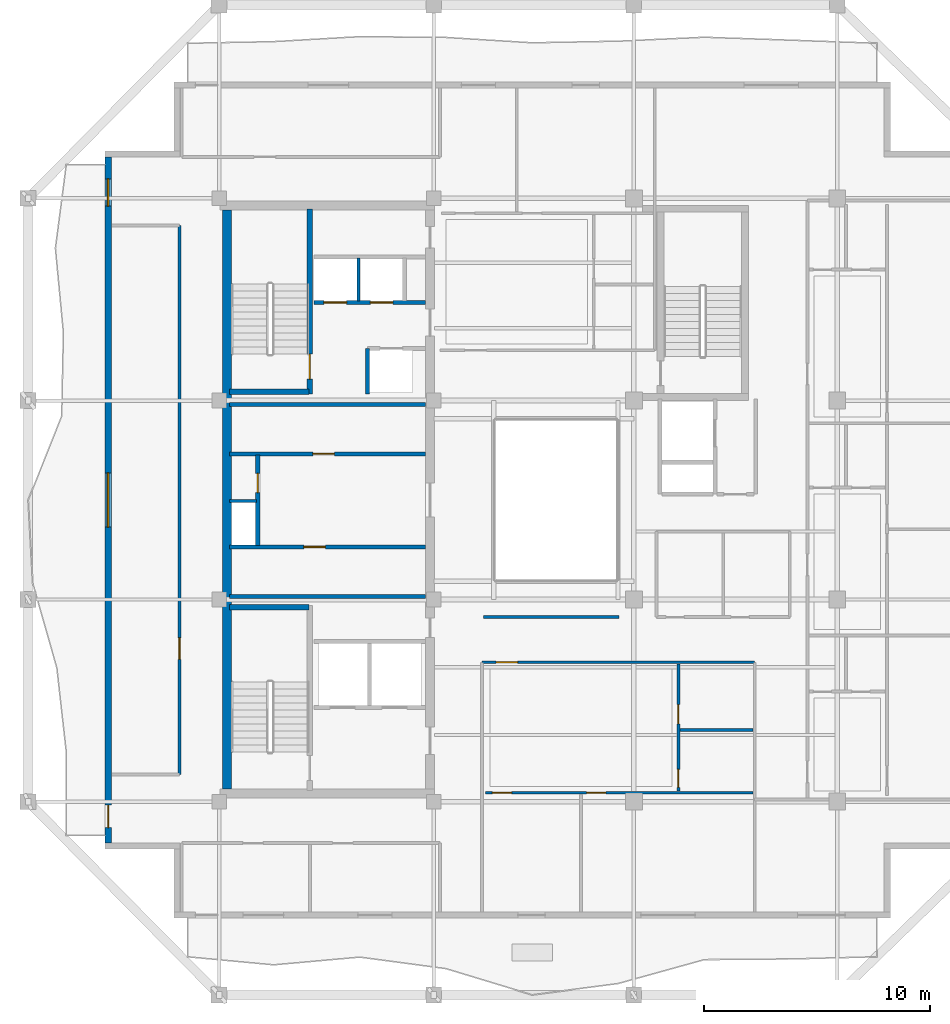
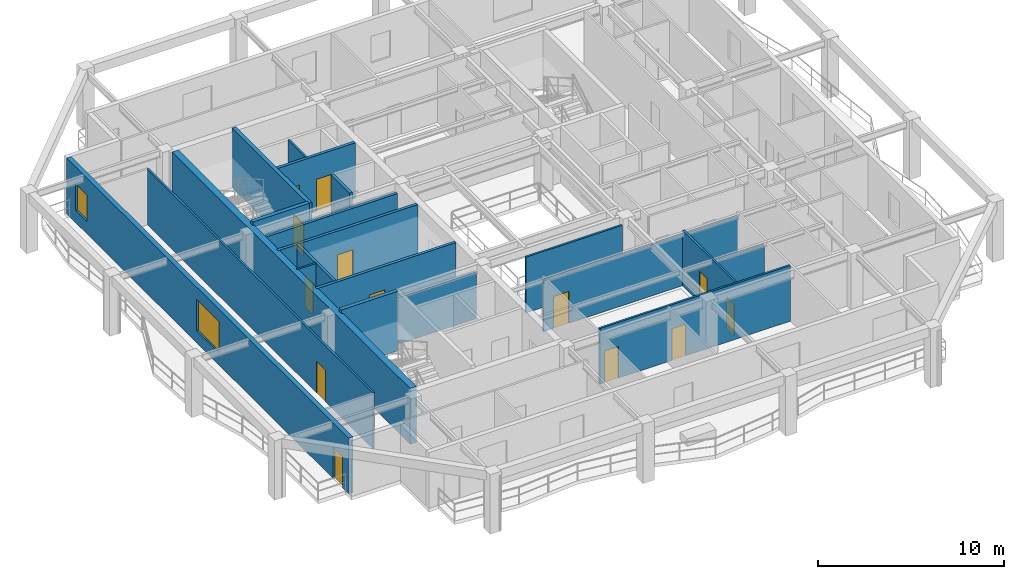
# One storey, part 3 of 10: 20 walls, 13 doors, 2 windows, 15 openings.
"""IFC4 building model written with IfcOpenShell, lengths in metres."""

import ifcopenshell
import ifcopenshell.guid

model = None  # the IFC model being written
_history = None  # IfcOwnerHistory: only IFC2X3 demands one
_inside = {}  # id of a spatial element -> (the spatial element, [elements in it])
_under = {}  # id of a project, library or spatial element -> (it, [spatial elements below it])
_declared = {}  # id of a project -> (the project, [libraries it declares])
_typed = {}  # id of a type object -> (the type object, [elements of that type])
_made_of = {}  # id of a material, layer set ... -> (it, [elements and type objects made of it])


def new_model(schema):
    """Start an empty IFC model of exactly this schema.

    Asked for "IFC4X3", IfcOpenShell would pick the latest addendum, in which some entities
    have other attributes; the version numbers below select the first issue.
    IFC2X3 requires an IfcOwnerHistory on every rooted entity: one is made here for all.
    """
    global model, _history
    if schema == "IFC4X3":
        model = ifcopenshell.file(schema_version=(4, 3, 0, 0))
    else:
        model = ifcopenshell.file(schema=schema)
    _inside.clear()
    _under.clear()
    _declared.clear()
    _typed.clear()
    _made_of.clear()
    _history = None
    if model.schema == "IFC2X3":
        org = make("IfcOrganization", Name="unknown")
        user = make(
            "IfcPersonAndOrganization",
            ThePerson=make("IfcPerson", FamilyName="unknown"),
            TheOrganization=org,
        )
        app = make(
            "IfcApplication",
            ApplicationDeveloper=org,
            Version="unknown",
            ApplicationFullName="unknown",
            ApplicationIdentifier="unknown",
        )
        _history = make(
            "IfcOwnerHistory",
            OwningUser=user,
            OwningApplication=app,
            ChangeAction="ADDED",
            CreationDate=0,
        )
    return model


def make(cls, **values):
    """One entity of the class cls with the attributes given. An attribute that is None is left unset."""
    return model.create_entity(
        cls, **{name: value for name, value in values.items() if value is not None}
    )


def rooted(cls, **values):
    """An entity with a GlobalId (a new one), such as an element, a storey or a relation."""
    return make(cls, GlobalId=ifcopenshell.guid.new(), OwnerHistory=_history, **values)


def si_unit(unit_type, name, prefix=None):
    """IfcSIUnit, for example si_unit("LENGTHUNIT", "METRE", prefix="MILLI")."""
    return make("IfcSIUnit", UnitType=unit_type, Prefix=prefix, Name=name)


def assignment(units):
    """IfcUnitAssignment: the units of a project."""
    return None if units is None else make("IfcUnitAssignment", Units=units)


def point(xyz):
    """IfcCartesianPoint."""
    return None if xyz is None else make("IfcCartesianPoint", Coordinates=xyz)


def direction(xyz):
    """IfcDirection."""
    return None if xyz is None else make("IfcDirection", DirectionRatios=xyz)


def frame(location, z_axis=None, x_axis=None):
    """IfcAxis2Placement3D, a coordinate frame: its origin and axes. An axis left out is left unset."""
    return make(
        "IfcAxis2Placement3D",
        Location=point(location),
        Axis=direction(z_axis),
        RefDirection=direction(x_axis),
    )


def frame_2d(location, x_axis=None):
    """IfcAxis2Placement2D, a coordinate frame in the plane: its origin and x axis."""
    return make(
        "IfcAxis2Placement2D", Location=point(location), RefDirection=direction(x_axis)
    )


def origin():
    """The frame at (0, 0, 0) with its axes left unset."""
    return frame((0.0, 0.0, 0.0))


def place(relative_to, where):
    """IfcLocalPlacement: puts the frame where relative to a parent placement (None: the world)."""
    return make(
        "IfcLocalPlacement", PlacementRelTo=relative_to, RelativePlacement=where
    )


def context(
    kind, dimensions, precision=None, world=None, true_north=None, identifier=None
):
    """IfcGeometricRepresentationContext, for example the 3D "Model" context."""
    return make(
        "IfcGeometricRepresentationContext",
        ContextIdentifier=identifier,
        ContextType=kind,
        CoordinateSpaceDimension=dimensions,
        Precision=precision,
        WorldCoordinateSystem=world,
        TrueNorth=true_north,
    )


def subcontext(parent, identifier, kind, view, scale=None):
    """IfcGeometricRepresentationSubContext, for example "Body" below "Model"."""
    return make(
        "IfcGeometricRepresentationSubContext",
        ContextIdentifier=identifier,
        ContextType=kind,
        ParentContext=parent,
        TargetScale=scale,
        TargetView=view,
    )


def project(units=None, contexts=None):
    """IfcProject with its units and contexts."""
    return rooted(
        "IfcProject",
        Name="project",
        RepresentationContexts=contexts,
        UnitsInContext=assignment(units),
    )


def spatial(cls, under=None, at=None, **own):
    """A site, building, storey or space (cls), placed at a placement, below another one or the project."""
    s = rooted(cls, ObjectPlacement=at, **own)
    if under is not None:
        _under.setdefault(under.id(), (under, []))[1].append(s)
    return s


def profile(cls, at=None, kind="AREA", **sizes):
    """A parametric profile (cls). Its sizes go by their IFC names, for example OverallWidth=200.0."""
    return make(cls, ProfileType=kind, Position=at, **sizes)


def rectangle(**sizes):
    """IfcRectangleProfileDef."""
    return profile("IfcRectangleProfileDef", **sizes)


def extrude(swept, where, along, depth):
    """IfcExtrudedAreaSolid: the profile swept, set in the frame where, extruded along a direction by depth."""
    return make(
        "IfcExtrudedAreaSolid",
        SweptArea=swept,
        Position=where,
        ExtrudedDirection=direction(along),
        Depth=depth,
    )


def shape(context_of_items, identifier, shape_type, items):
    """IfcShapeRepresentation: the items that make up one representation, for example the "Body"."""
    return make(
        "IfcShapeRepresentation",
        ContextOfItems=context_of_items,
        RepresentationIdentifier=identifier,
        RepresentationType=shape_type,
        Items=items,
    )


def material(Name=None, Category=None):
    """IfcMaterial."""
    return make("IfcMaterial", Name=Name, Category=Category)


def layer(
    of_material, thickness, ventilated=None, Name=None, Category=None, Priority=None
):
    """IfcMaterialLayer: one layer of a wall or slab, of a material (None: an air gap)."""
    return make(
        "IfcMaterialLayer",
        Material=of_material,
        LayerThickness=thickness,
        IsVentilated=ventilated,
        Name=Name,
        Category=Category,
        Priority=Priority,
    )


def layer_set(layers, Name=None):
    """IfcMaterialLayerSet."""
    return make("IfcMaterialLayerSet", MaterialLayers=layers, LayerSetName=Name)


def made_of(thing, what):
    """Note that an element or type object is made of a material, layer set ...; save() writes the relation."""
    if what is not None:
        _made_of.setdefault(what.id(), (what, []))[1].append(thing)
    return thing


def type_object(cls, material=None, **own):
    """A type object (cls), such as IfcWallType, which elements share."""
    return made_of(rooted(cls, **own), material)


def element(
    cls,
    number,
    at=None,
    inside=None,
    cuts=None,
    type_object=None,
    material=None,
    context=None,
    identifier="Body",
    shape_type=None,
    held_by="IfcProductDefinitionShape",
    body=None,
    shapes=None,
    **own,
):
    """One element of the class cls, such as IfcWall. Its Tag is "e" and its number.

    at: its placement. inside: the storey or other place that contains it. cuts: it is an
    opening in that element (IfcRelVoidsElement). A single representation is given by context,
    identifier, shape_type and body (its items); several are given by shapes. held_by: the class
    of the entity that holds the representations. save() writes the other relations.
    """
    e = rooted(cls, Tag="e%d" % number, ObjectPlacement=at, **own)
    if body is not None:
        shapes = [shape(context, identifier, shape_type, body)]
    if shapes is not None:
        e.Representation = make(held_by, Representations=shapes)
    if inside is not None:
        _inside.setdefault(inside.id(), (inside, []))[1].append(e)
    if cuts is not None:
        rooted(
            "IfcRelVoidsElement", RelatingBuildingElement=cuts, RelatedOpeningElement=e
        )
    if type_object is not None:
        _typed.setdefault(type_object.id(), (type_object, []))[1].append(e)
    return made_of(e, material)


def fill(opening, filler):
    """IfcRelFillsElement: the door or window that sits in an opening."""
    return rooted(
        "IfcRelFillsElement",
        RelatingOpeningElement=opening,
        RelatedBuildingElement=filler,
    )


def aggregate(whole, parts):
    """IfcRelAggregates: a whole, such as a stair, and the parts it consists of."""
    return rooted("IfcRelAggregates", RelatingObject=whole, RelatedObjects=parts)


def save(model, path):
    """Write the relations noted so far, then the file.

    IfcRelAggregates (storeys below a building ...), IfcRelContainedInSpatialStructure (elements
    in a storey), IfcRelDefinesByType, IfcRelAssociatesMaterial and IfcRelDeclares: one each for
    every whole, place, type object, material and project.
    """
    for whole, parts in _under.values():
        aggregate(whole, parts)
    for where, things in _inside.values():
        rooted(
            "IfcRelContainedInSpatialStructure",
            RelatedElements=things,
            RelatingStructure=where,
        )
    for kind, things in _typed.values():
        rooted("IfcRelDefinesByType", RelatedObjects=things, RelatingType=kind)
    for what, things in _made_of.values():
        rooted("IfcRelAssociatesMaterial", RelatedObjects=things, RelatingMaterial=what)
    for by, libraries in _declared.values():
        rooted("IfcRelDeclares", RelatingContext=by, RelatedDefinitions=libraries)
    model.write(path)


model = new_model("IFC4")

# Units and contexts
model_context = context("Model", 3, precision=1e-05, world=origin(), true_north=direction((0.0, 1.0)))
body_context = subcontext(model_context, "Body", "Model", "MODEL_VIEW")
ifc_project = project(units=[si_unit("LENGTHUNIT", "METRE"), si_unit("AREAUNIT", "SQUARE_METRE"), si_unit("VOLUMEUNIT", "CUBIC_METRE"), si_unit("PLANEANGLEUNIT", "RADIAN"), si_unit("MASSUNIT", "GRAM", prefix="KILO")], contexts=[model_context])

# Site, building, storey
site_placement = place(None, origin())
site = spatial("IfcSite", under=ifc_project, at=site_placement, CompositionType="ELEMENT")
building_placement = place(site_placement, origin())
building = spatial("IfcBuilding", under=site, at=building_placement, Name="Kundavana Baori Tower", CompositionType="ELEMENT")
storey_placement = place(building_placement, frame((0.0, 0.0, 292.10009765625)))
storey = spatial("IfcBuildingStorey", under=building, at=storey_placement, Name="L72", CompositionType="ELEMENT", Elevation=292.10009765625)

# Walls
ifc_material_1 = material(Name="Concrete C50/60", Category="concrete")
ifc_layer_1 = layer(ifc_material_1, 0.39990234375, Name="WL-CORE-400")
ifc_layer_set_1 = layer_set([ifc_layer_1], Name="Concrete C50/60")
wall_type_1 = type_object("IfcWallType", Name="WL-CORE-400", PredefinedType="SHEAR", material=ifc_layer_set_1)
wall_1_placement = place(storey_placement, frame((15.7900390625, 15.81005859375, 0.0), z_axis=(0.0, 0.0, 1.0), x_axis=(0.0, 1.0, 0.0)))
element("IfcWall", 1, at=wall_1_placement, inside=storey, type_object=wall_type_1, Name="L72 Offset Core West Shear Wall", PredefinedType="SHEAR", context=body_context, shape_type="SweptSolid", body=[
    extrude(rectangle(XDim=25.6298828125, YDim=0.39990234375, at=frame_2d((12.81494140625, 0.0))), origin(), (0.0, 0.0, 1.0), 3.659912109375),
])
wall_2_placement = place(storey_placement, frame((15.89990234375, 23.860107421875, 0.0), z_axis=(0.0, 0.0, 1.0), x_axis=(1.0, 0.0, 0.0)))
element("IfcWall", 2, at=wall_2_placement, inside=storey, type_object=wall_type_1, Name="WL-L72-ST1-N", PredefinedType="SHEAR", context=body_context, shape_type="SweptSolid", body=[
    extrude(rectangle(XDim=3.52001953125, YDim=0.239990234375, at=frame_2d((1.760009765625, 0.0))), origin(), (0.0, 0.0, 1.0), 3.89990234375),
])

# Wall, opening, door
wall_3_placement = place(storey_placement, frame((19.4599609375, 33.300048828125, 0.0), z_axis=(0.0, 0.0, 1.0), x_axis=(0.0, 1.0, 0.0)))
wall_3 = element("IfcWall", 3, at=wall_3_placement, inside=storey, type_object=wall_type_1, Name="WL-L72-ST2-E", PredefinedType="SHEAR", context=body_context, shape_type="SweptSolid", body=[
    extrude(rectangle(XDim=8.179931640625, YDim=0.239990234375, at=frame_2d((4.08984375, 0.0))), origin(), (0.0, 0.0, 1.0), 3.89990234375),
])
opening_1_placement = place(wall_3_placement, frame((0.64990234375, 0.0, 0.0)))
opening_1 = element("IfcOpeningElement", 4, at=opening_1_placement, cuts=wall_3, Name="Opening FD-110", PredefinedType="OPENING", context=body_context, shape_type="SweptSolid", body=[
    extrude(rectangle(XDim=1.10009765625, YDim=2.10009765625, at=frame_2d((0.550048828125, 1.050048828125))), frame((0.0, 0.1298828125, 0.0), z_axis=(0.0, -1.0, 0.0), x_axis=(1.0, 0.0, 0.0)), (0.0, 0.0, 1.0), 0.260009765625),
])
ifc_material_2 = material(Name="Galvanised Steel Fire-Rated Door Leaf", Category="steel")
door_type_1 = type_object("IfcDoorType", Name="DR-FD120-1100", OperationType="NOTDEFINED", PredefinedType="DOOR", material=ifc_material_2)
door_1_placement = place(opening_1_placement, origin())
door_1 = element("IfcDoor", 5, at=door_1_placement, inside=storey, type_object=door_type_1, Name="DR-L72-ST2", OperationType="SINGLE_SWING_RIGHT", OverallHeight=2.10009765625, OverallWidth=1.10009765625, PredefinedType="DOOR", context=body_context, shape_type="SweptSolid", body=[
    extrude(rectangle(XDim=1.10009765625, YDim=2.10009765625, at=frame_2d((0.550048828125, 1.050048828125))), frame((0.0, 0.02490234375, 0.0), z_axis=(0.0, -1.0, 0.0), x_axis=(1.0, 0.0, 0.0)), (0.0, 0.0, 1.0), 0.050048828125),
])
fill(opening_1, door_1)

# Wall
wall_4_placement = place(storey_placement, frame((15.89990234375, 33.389892578125, 0.0), z_axis=(0.0, 0.0, 1.0), x_axis=(1.0, 0.0, 0.0)))
element("IfcWall", 6, at=wall_4_placement, inside=storey, type_object=wall_type_1, Name="WL-L72-ST2-S", PredefinedType="SHEAR", context=body_context, shape_type="SweptSolid", body=[
    extrude(rectangle(XDim=3.52001953125, YDim=0.239990234375, at=frame_2d((1.760009765625, 0.0))), origin(), (0.0, 0.0, 1.0), 3.89990234375),
])

# Wall, openings, door, windows
ifc_material_3 = material(Name="Red-Buff Dholpur Sandstone Cladding on Concrete C40/50", Category="masonry")
ifc_layer_2 = layer(ifc_material_3, 0.280029296875, Name="WL-EXT-SAND-280")
ifc_layer_set_2 = layer_set([ifc_layer_2], Name="Red-Buff Dholpur Sandstone Cladding on Concrete C40/50")
wall_type_2 = type_object("IfcWallType", Name="WL-EXT-SAND-280", PredefinedType="STANDARD", material=ifc_layer_set_2)
wall_5_placement = place(storey_placement, frame((10.5400390625, 43.77001953125, 0.0), z_axis=(0.0, 0.0, 1.0), x_axis=(0.0, -1.0, 0.0)))
wall_5 = element("IfcWall", 7, at=wall_5_placement, inside=storey, type_object=wall_type_2, Name="L72 Exterior Insulated Facade Wall 10", PredefinedType="STANDARD", context=body_context, shape_type="SweptSolid", body=[
    extrude(rectangle(XDim=30.340087890625, YDim=0.280029296875, at=frame_2d((15.169921875, 0.0))), origin(), (0.0, 0.0, 1.0), 3.659912109375),
])
opening_2_placement = place(wall_5_placement, frame((28.669921875, 0.0, 0.0)))
opening_2 = element("IfcOpeningElement", 8, at=opening_2_placement, cuts=wall_5, Name="Opening BD-1", PredefinedType="OPENING", context=body_context, shape_type="SweptSolid", body=[
    extrude(rectangle(XDim=1.0, YDim=2.050048828125, at=frame_2d((0.5, 1.02490234375))), frame((0.0, 0.14990234375, 0.0), z_axis=(0.0, -1.0, 0.0), x_axis=(1.0, 0.0, 0.0)), (0.0, 0.0, 1.0), 0.300048828125),
])
opening_3_placement = place(wall_5_placement, frame((13.969970703125, 0.0, 0.800048828125)))
opening_3 = element("IfcOpeningElement", 9, at=opening_3_placement, cuts=wall_5, Name="Opening W-04", PredefinedType="OPENING", context=body_context, shape_type="SweptSolid", body=[
    extrude(rectangle(XDim=2.39990234375, YDim=2.050048828125, at=frame_2d((1.199951171875, 1.02490234375))), frame((0.0, 0.14990234375, 0.0), z_axis=(0.0, -1.0, 0.0), x_axis=(1.0, 0.0, 0.0)), (0.0, 0.0, 1.0), 0.300048828125),
])
opening_4_placement = place(wall_5_placement, frame((0.965087890625, 0.0, 0.800048828125)))
opening_4 = element("IfcOpeningElement", 10, at=opening_4_placement, cuts=wall_5, Name="Opening W-03", PredefinedType="OPENING", context=body_context, shape_type="SweptSolid", body=[
    extrude(rectangle(XDim=1.199951171875, YDim=1.75, at=frame_2d((0.60009765625, 0.875))), frame((0.0, 0.14990234375, 0.0), z_axis=(0.0, -1.0, 0.0), x_axis=(1.0, 0.0, 0.0)), (0.0, 0.0, 1.0), 0.300048828125),
])
ifc_material_4 = material(Name="Architectural Patinated Bronze Metalwork")
door_type_2 = type_object("IfcDoorType", Name="DR-EXT-LOG-1000", OperationType="NOTDEFINED", PredefinedType="DOOR", material=ifc_material_4)
door_2_placement = place(opening_2_placement, frame((1.0, 0.0, 0.0), z_axis=(0.0, 0.0, 1.0), x_axis=(-1.0, 0.0, 0.0)))
door_2 = element("IfcDoor", 11, at=door_2_placement, inside=storey, type_object=door_type_2, Name="L72 Loggia Balcony Access Door W", OperationType="SINGLE_SWING_RIGHT", OverallHeight=2.050048828125, OverallWidth=1.0, PredefinedType="DOOR", context=body_context, shape_type="SweptSolid", body=[
    extrude(rectangle(XDim=1.0, YDim=2.050048828125, at=frame_2d((0.5, 1.02490234375))), frame((0.0, 0.02490234375, 0.0), z_axis=(0.0, -1.0, 0.0), x_axis=(1.0, 0.0, 0.0)), (0.0, 0.0, 1.0), 0.050048828125),
])
fill(opening_2, door_2)
ifc_material_5 = material(Name="Double-Glazed Solar-Control Low-E Insulated Glass", Category="glass")
window_type_1 = type_object("IfcWindowType", Name="WIN-LOG-1200x1750", PartitioningType="SINGLE_PANEL", PredefinedType="WINDOW", material=ifc_material_5)
window_1_placement = place(opening_4_placement, origin())
window_1 = element("IfcWindow", 12, at=window_1_placement, inside=storey, type_object=window_type_1, Name="L72 Recessed Loggia Window W-3", OverallHeight=1.75, OverallWidth=1.199951171875, PartitioningType="SINGLE_PANEL", PredefinedType="WINDOW", context=body_context, shape_type="SweptSolid", body=[
    extrude(rectangle(XDim=1.199951171875, YDim=1.75, at=frame_2d((0.60009765625, 0.875))), frame((0.0, 0.030029296875, 0.0), z_axis=(0.0, -1.0, 0.0), x_axis=(1.0, 0.0, 0.0)), (0.0, 0.0, 1.0), 0.06005859375),
])
fill(opening_4, window_1)
ifc_material_6 = material(Name="Double-Glazed Solar-Control Low-E Insulated Glass", Category="glass")
window_type_2 = type_object("IfcWindowType", Name="WIN-LOG-2400x2050", PartitioningType="SINGLE_PANEL", PredefinedType="WINDOW", material=ifc_material_6)
window_2_placement = place(opening_3_placement, origin())
window_2 = element("IfcWindow", 13, at=window_2_placement, inside=storey, type_object=window_type_2, Name="L72 Recessed Loggia Window W-2", OverallHeight=2.050048828125, OverallWidth=2.39990234375, PartitioningType="SINGLE_PANEL", PredefinedType="WINDOW", context=body_context, shape_type="SweptSolid", body=[
    extrude(rectangle(XDim=2.39990234375, YDim=2.050048828125, at=frame_2d((1.199951171875, 1.02490234375))), frame((0.0, 0.030029296875, 0.0), z_axis=(0.0, -1.0, 0.0), x_axis=(1.0, 0.0, 0.0)), (0.0, 0.0, 1.0), 0.06005859375),
])
fill(opening_3, window_2)

# Walls
ifc_material_7 = material(Name="Acoustic Gypsum Plasterboard on Galvanised Steel Studs", Category="steel")
ifc_layer_3 = layer(ifc_material_7, 0.1201171875, Name="WL-PART-120")
ifc_layer_set_3 = layer_set([ifc_layer_3], Name="Acoustic Gypsum Plasterboard on Galvanised Steel Studs")
wall_type_3 = type_object("IfcWallType", Name="WL-PART-120", PredefinedType="PARTITIONING", material=ifc_layer_set_3)
wall_6_placement = place(storey_placement, frame((15.89990234375, 28.56005859375, 0.0), z_axis=(0.0, 0.0, 1.0), x_axis=(1.0, 0.0, 0.0)))
element("IfcWall", 14, at=wall_6_placement, inside=storey, type_object=wall_type_3, Name="WL-L72-RSRW-N", PredefinedType="PARTITIONING", context=body_context, shape_type="SweptSolid", body=[
    extrude(rectangle(XDim=1.2001953125, YDim=0.1201171875, at=frame_2d((0.60009765625, 0.0))), origin(), (0.0, 0.0, 1.0), 3.659912109375),
])
wall_7_placement = place(storey_placement, frame((21.6201171875, 37.39990234375, 0.0), z_axis=(0.0, 0.0, 1.0), x_axis=(0.0, 1.0, 0.0)))
element("IfcWall", 15, at=wall_7_placement, inside=storey, type_object=wall_type_3, Name="WL-L72-HR-DIV1", PredefinedType="PARTITIONING", context=body_context, shape_type="SweptSolid", body=[
    extrude(rectangle(XDim=1.900146484375, YDim=0.1201171875, at=frame_2d((0.9501953125, 0.0))), origin(), (0.0, 0.0, 1.0), 3.659912109375),
])

# Wall, opening, door
wall_8_placement = place(storey_placement, frame((27.080078125, 21.419921875, 0.0), z_axis=(0.0, 0.0, 1.0), x_axis=(1.0, 0.0, 0.0)))
wall_8 = element("IfcWall", 16, at=wall_8_placement, inside=storey, type_object=wall_type_3, Name="WL-L72-RS", PredefinedType="PARTITIONING", context=body_context, shape_type="SweptSolid", body=[
    extrude(rectangle(XDim=12.06982421875, YDim=0.1201171875, at=frame_2d((6.034912109375, 0.0))), origin(), (0.0, 0.0, 1.0), 3.35986328125),
])
opening_5_placement = place(wall_8_placement, frame((0.6298828125, 0.0, 0.0)))
opening_5 = element("IfcOpeningElement", 17, at=opening_5_placement, cuts=wall_8, Name="Opening FD-095", PredefinedType="OPENING", context=body_context, shape_type="SweptSolid", body=[
    extrude(rectangle(XDim=0.949951171875, YDim=2.10009765625, at=frame_2d((0.47509765625, 1.050048828125))), frame((0.0, 0.070068359375, 0.0), z_axis=(0.0, -1.0, 0.0), x_axis=(1.0, 0.0, 0.0)), (0.0, 0.0, 1.0), 0.14013671875),
])
ifc_material_8 = material(Name="Engineered Teak Fire-Rated Timber Door Leaf", Category="wood")
door_type_3 = type_object("IfcDoorType", Name="DR-FD60-950", OperationType="NOTDEFINED", PredefinedType="DOOR", material=ifc_material_8)
door_3_placement = place(opening_5_placement, frame((0.949951171875, 0.0, 0.0), z_axis=(0.0, 0.0, 1.0), x_axis=(-1.0, 0.0, 0.0)))
door_3 = element("IfcDoor", 18, at=door_3_placement, inside=storey, type_object=door_type_3, Name="DR-L72-S1-ENT", OperationType="SINGLE_SWING_RIGHT", OverallHeight=2.10009765625, OverallWidth=0.949951171875, PredefinedType="DOOR", context=body_context, shape_type="SweptSolid", body=[
    extrude(rectangle(XDim=0.949951171875, YDim=2.10009765625, at=frame_2d((0.47509765625, 1.050048828125))), frame((0.0, 0.02490234375, 0.0), z_axis=(0.0, -1.0, 0.0), x_axis=(1.0, 0.0, 0.0)), (0.0, 0.0, 1.0), 0.050048828125),
])
fill(opening_5, door_3)

# Wall
wall_9_placement = place(storey_placement, frame((27.14990234375, 23.419921875, 0.0), z_axis=(0.0, 0.0, 1.0), x_axis=(1.0, 0.0, 0.0)))
element("IfcWall", 19, at=wall_9_placement, inside=storey, type_object=wall_type_3, Name="WL-L72-RST", PredefinedType="PARTITIONING", context=body_context, shape_type="SweptSolid", body=[
    extrude(rectangle(XDim=6.0, YDim=0.1201171875, at=frame_2d((3.0, 0.0))), origin(), (0.0, 0.0, 1.0), 3.659912109375),
])

# Wall, opening, door
wall_10_placement = place(storey_placement, frame((13.699951171875, 16.449951171875, 0.0), z_axis=(0.0, 0.0, 1.0), x_axis=(0.0, 1.0, 0.0)))
wall_10 = element("IfcWall", 20, at=wall_10_placement, inside=storey, type_object=wall_type_3, Name="WL-L72-RW", PredefinedType="PARTITIONING", context=body_context, shape_type="SweptSolid", body=[
    extrude(rectangle(XDim=24.300048828125, YDim=0.1201171875, at=frame_2d((12.14990234375, 0.0))), origin(), (0.0, 0.0, 1.0), 3.659912109375),
])
opening_6_placement = place(wall_10_placement, frame((5.10009765625, 0.0, 0.0)))
opening_6 = element("IfcOpeningElement", 21, at=opening_6_placement, cuts=wall_10, Name="Opening ID-095", PredefinedType="OPENING", context=body_context, shape_type="SweptSolid", body=[
    extrude(rectangle(XDim=0.949951171875, YDim=2.080078125, at=frame_2d((0.47509765625, 1.0400390625))), frame((0.0, 0.070068359375, 0.0), z_axis=(0.0, -1.0, 0.0), x_axis=(1.0, 0.0, 0.0)), (0.0, 0.0, 1.0), 0.14013671875),
])
ifc_material_9 = material(Name="Engineered Teak Solid-Core Timber Veneer", Category="wood")
door_type_4 = type_object("IfcDoorType", Name="DR-INT-950", OperationType="NOTDEFINED", PredefinedType="DOOR", material=ifc_material_9)
door_4_placement = place(opening_6_placement, origin())
door_4 = element("IfcDoor", 22, at=door_4_placement, inside=storey, type_object=door_type_4, Name="DR-L72-RLNGW", OperationType="SINGLE_SWING_LEFT", OverallHeight=2.080078125, OverallWidth=0.949951171875, PredefinedType="DOOR", context=body_context, shape_type="SweptSolid", body=[
    extrude(rectangle(XDim=0.949951171875, YDim=2.080078125, at=frame_2d((0.47509765625, 1.0400390625))), frame((0.0, 0.02490234375, 0.0), z_axis=(0.0, -1.0, 0.0), x_axis=(1.0, 0.0, 0.0)), (0.0, 0.0, 1.0), 0.050048828125),
])
fill(opening_6, door_4)

# Wall, openings, doors
wall_11_placement = place(storey_placement, frame((27.239990234375, 15.64111328125, 0.0), z_axis=(0.0, 0.0, 1.0), x_axis=(1.0, 0.0, 0.0)))
wall_11 = element("IfcWall", 23, at=wall_11_placement, inside=storey, type_object=wall_type_3, Name="WL-L72-S1-HZ", PredefinedType="PARTITIONING", context=body_context, shape_type="SweptSolid", body=[
    extrude(rectangle(XDim=11.830078125, YDim=0.1201171875, at=frame_2d((5.9150390625, 0.0))), origin(), (0.0, 0.0, 1.0), 3.659912109375),
])
opening_7_placement = place(wall_11_placement, frame((0.300048828125, 0.0, 0.0)))
opening_7 = element("IfcOpeningElement", 24, at=opening_7_placement, cuts=wall_11, Name="Opening ID-085", PredefinedType="OPENING", context=body_context, shape_type="SweptSolid", body=[
    extrude(rectangle(XDim=0.85009765625, YDim=2.080078125, at=frame_2d((0.425048828125, 1.0400390625))), frame((0.0, 0.070068359375, 0.0), z_axis=(0.0, -1.0, 0.0), x_axis=(1.0, 0.0, 0.0)), (0.0, 0.0, 1.0), 0.14013671875),
])
opening_8_placement = place(wall_11_placement, frame((4.47509765625, 0.0, 0.0)))
opening_8 = element("IfcOpeningElement", 25, at=opening_8_placement, cuts=wall_11, Name="Opening ID-085", PredefinedType="OPENING", context=body_context, shape_type="SweptSolid", body=[
    extrude(rectangle(XDim=0.85009765625, YDim=2.080078125, at=frame_2d((0.425048828125, 1.0400390625))), frame((0.0, 0.070068359375, 0.0), z_axis=(0.0, -1.0, 0.0), x_axis=(1.0, 0.0, 0.0)), (0.0, 0.0, 1.0), 0.14013671875),
])
ifc_material_10 = material(Name="Engineered Teak Solid-Core Timber Veneer", Category="wood")
door_type_5 = type_object("IfcDoorType", Name="DR-INT-850", OperationType="NOTDEFINED", PredefinedType="DOOR", material=ifc_material_10)
door_5_placement = place(opening_7_placement, frame((0.85009765625, 0.0, 0.0), z_axis=(0.0, 0.0, 1.0), x_axis=(-1.0, 0.0, 0.0)))
door_5 = element("IfcDoor", 26, at=door_5_placement, inside=storey, type_object=door_type_5, Name="DR-L72-S1-B1", OperationType="SINGLE_SWING_LEFT", OverallHeight=2.080078125, OverallWidth=0.85009765625, PredefinedType="DOOR", context=body_context, shape_type="SweptSolid", body=[
    extrude(rectangle(XDim=0.85009765625, YDim=2.080078125, at=frame_2d((0.425048828125, 1.0400390625))), frame((0.0, 0.02490234375, 0.0), z_axis=(0.0, -1.0, 0.0), x_axis=(1.0, 0.0, 0.0)), (0.0, 0.0, 1.0), 0.050048828125),
])
fill(opening_7, door_5)
door_6_placement = place(opening_8_placement, frame((0.85009765625, 0.0, 0.0), z_axis=(0.0, 0.0, 1.0), x_axis=(-1.0, 0.0, 0.0)))
door_6 = element("IfcDoor", 27, at=door_6_placement, inside=storey, type_object=door_type_5, Name="DR-L72-S1-B2", OperationType="SINGLE_SWING_RIGHT", OverallHeight=2.080078125, OverallWidth=0.85009765625, PredefinedType="DOOR", context=body_context, shape_type="SweptSolid", body=[
    extrude(rectangle(XDim=0.85009765625, YDim=2.080078125, at=frame_2d((0.425048828125, 1.0400390625))), frame((0.0, 0.02490234375, 0.0), z_axis=(0.0, -1.0, 0.0), x_axis=(1.0, 0.0, 0.0)), (0.0, 0.0, 1.0), 0.050048828125),
])
fill(opening_8, door_6)

# Wall, opening, door
ifc_material_11 = material(Name="Autoclaved Aerated Concrete Blockwork Masonry", Category="masonry")
ifc_layer_4 = layer(ifc_material_11, 0.179931640625, Name="WL-SHAFT-180")
ifc_layer_set_4 = layer_set([ifc_layer_4], Name="Autoclaved Aerated Concrete Blockwork Masonry")
wall_type_4 = type_object("IfcWallType", Name="WL-SHAFT-180", PredefinedType="SOLIDWALL", material=ifc_layer_set_4)
wall_12_placement = place(storey_placement, frame((15.89990234375, 26.52001953125, 0.0), z_axis=(0.0, 0.0, 1.0), x_axis=(1.0, 0.0, 0.0)))
wall_12 = element("IfcWall", 28, at=wall_12_placement, inside=storey, type_object=wall_type_4, Name="WL-L72-LPLOW-N", PredefinedType="SOLIDWALL", context=body_context, shape_type="SweptSolid", body=[
    extrude(rectangle(XDim=8.68017578125, YDim=0.179931640625, at=frame_2d((4.340087890625, 0.0))), origin(), (0.0, 0.0, 1.0), 3.659912109375),
])
opening_9_placement = place(wall_12_placement, frame((3.300048828125, 0.0, 0.0)))
opening_9 = element("IfcOpeningElement", 29, at=opening_9_placement, cuts=wall_12, Name="Opening FD-095", PredefinedType="OPENING", context=body_context, shape_type="SweptSolid", body=[
    extrude(rectangle(XDim=0.949951171875, YDim=2.10009765625, at=frame_2d((0.47509765625, 1.050048828125))), frame((0.0, 0.10009765625, 0.0), z_axis=(0.0, -1.0, 0.0), x_axis=(1.0, 0.0, 0.0)), (0.0, 0.0, 1.0), 0.199951171875),
])
door_7_placement = place(opening_9_placement, origin())
door_7 = element("IfcDoor", 30, at=door_7_placement, inside=storey, type_object=door_type_3, Name="DR-L72-FRLOW1", OperationType="SINGLE_SWING_LEFT", OverallHeight=2.10009765625, OverallWidth=0.949951171875, PredefinedType="DOOR", context=body_context, shape_type="SweptSolid", body=[
    extrude(rectangle(XDim=0.949951171875, YDim=2.10009765625, at=frame_2d((0.47509765625, 1.050048828125))), frame((0.0, 0.02490234375, 0.0), z_axis=(0.0, -1.0, 0.0), x_axis=(1.0, 0.0, 0.0)), (0.0, 0.0, 1.0), 0.050048828125),
])
fill(opening_9, door_7)

# Wall
wall_13_placement = place(storey_placement, frame((15.89990234375, 24.330078125, 0.0), z_axis=(0.0, 0.0, 1.0), x_axis=(1.0, 0.0, 0.0)))
element("IfcWall", 31, at=wall_13_placement, inside=storey, type_object=wall_type_4, Name="WL-L72-LPLOW-S", PredefinedType="SOLIDWALL", context=body_context, shape_type="SweptSolid", body=[
    extrude(rectangle(XDim=8.68017578125, YDim=0.179931640625, at=frame_2d((4.340087890625, 0.0))), origin(), (0.0, 0.0, 1.0), 3.059814453125),
])

# Wall, opening, door
wall_14_placement = place(storey_placement, frame((17.159912109375, 26.580078125, 0.0), z_axis=(0.0, 0.0, 1.0), x_axis=(0.0, 1.0, 0.0)))
wall_14 = element("IfcWall", 32, at=wall_14_placement, inside=storey, type_object=wall_type_4, Name="WL-L72-RSRW-E", PredefinedType="SOLIDWALL", context=body_context, shape_type="SweptSolid", body=[
    extrude(rectangle(XDim=4.02001953125, YDim=0.179931640625, at=frame_2d((2.010009765625, 0.0))), origin(), (0.0, 0.0, 1.0), 3.659912109375),
])
opening_10_placement = place(wall_14_placement, frame((2.35009765625, 0.0, 0.0)))
opening_10 = element("IfcOpeningElement", 33, at=opening_10_placement, cuts=wall_14, Name="Opening FD-085", PredefinedType="OPENING", context=body_context, shape_type="SweptSolid", body=[
    extrude(rectangle(XDim=0.85009765625, YDim=2.06005859375, at=frame_2d((0.425048828125, 1.030029296875))), frame((0.0, 0.10009765625, 0.0), z_axis=(0.0, -1.0, 0.0), x_axis=(1.0, 0.0, 0.0)), (0.0, 0.0, 1.0), 0.199951171875),
])
ifc_material_12 = material(Name="Galvanised Steel Fire-Rated Door Leaf", Category="steel")
door_type_6 = type_object("IfcDoorType", Name="DR-FD60-850", OperationType="NOTDEFINED", PredefinedType="DOOR", material=ifc_material_12)
door_8_placement = place(opening_10_placement, origin())
door_8 = element("IfcDoor", 34, at=door_8_placement, inside=storey, type_object=door_type_6, Name="DR-L72-CLN", OperationType="SINGLE_SWING_RIGHT", OverallHeight=2.06005859375, OverallWidth=0.85009765625, PredefinedType="DOOR", context=body_context, shape_type="SweptSolid", body=[
    extrude(rectangle(XDim=0.85009765625, YDim=2.06005859375, at=frame_2d((0.425048828125, 1.030029296875))), frame((0.0, 0.02490234375, 0.0), z_axis=(0.0, -1.0, 0.0), x_axis=(1.0, 0.0, 0.0)), (0.0, 0.0, 1.0), 0.050048828125),
])
fill(opening_10, door_8)

wall_15_placement = place(storey_placement, frame((15.89990234375, 30.639892578125, 0.0), z_axis=(0.0, 0.0, 1.0), x_axis=(1.0, 0.0, 0.0)))
wall_15 = element("IfcWall", 35, at=wall_15_placement, inside=storey, type_object=wall_type_4, Name="WL-L72-LPMID-S", PredefinedType="SOLIDWALL", context=body_context, shape_type="SweptSolid", body=[
    extrude(rectangle(XDim=8.68017578125, YDim=0.179931640625, at=frame_2d((4.340087890625, 0.0))), origin(), (0.0, 0.0, 1.0), 3.659912109375),
])
opening_11_placement = place(wall_15_placement, frame((3.699951171875, 0.0, 0.0)))
opening_11 = element("IfcOpeningElement", 36, at=opening_11_placement, cuts=wall_15, Name="Opening FD-095", PredefinedType="OPENING", context=body_context, shape_type="SweptSolid", body=[
    extrude(rectangle(XDim=0.949951171875, YDim=2.10009765625, at=frame_2d((0.47509765625, 1.050048828125))), frame((0.0, 0.10009765625, 0.0), z_axis=(0.0, -1.0, 0.0), x_axis=(1.0, 0.0, 0.0)), (0.0, 0.0, 1.0), 0.199951171875),
])
door_9_placement = place(opening_11_placement, frame((0.949951171875, 0.0, 0.0), z_axis=(0.0, 0.0, 1.0), x_axis=(-1.0, 0.0, 0.0)))
door_9 = element("IfcDoor", 37, at=door_9_placement, inside=storey, type_object=door_type_3, Name="DR-L72-FRMID1", OperationType="SINGLE_SWING_RIGHT", OverallHeight=2.10009765625, OverallWidth=0.949951171875, PredefinedType="DOOR", context=body_context, shape_type="SweptSolid", body=[
    extrude(rectangle(XDim=0.949951171875, YDim=2.10009765625, at=frame_2d((0.47509765625, 1.050048828125))), frame((0.0, 0.02490234375, 0.0), z_axis=(0.0, -1.0, 0.0), x_axis=(1.0, 0.0, 0.0)), (0.0, 0.0, 1.0), 0.050048828125),
])
fill(opening_11, door_9)

# Walls
wall_16_placement = place(storey_placement, frame((15.89990234375, 32.820068359375, 0.0), z_axis=(0.0, 0.0, 1.0), x_axis=(1.0, 0.0, 0.0)))
element("IfcWall", 38, at=wall_16_placement, inside=storey, type_object=wall_type_4, Name="WL-L72-LPMID-N", PredefinedType="SOLIDWALL", context=body_context, shape_type="SweptSolid", body=[
    extrude(rectangle(XDim=8.68017578125, YDim=0.179931640625, at=frame_2d((4.340087890625, 0.0))), origin(), (0.0, 0.0, 1.0), 3.059814453125),
])
wall_17_placement = place(storey_placement, frame((22.02001953125, 33.300048828125, 0.0), z_axis=(0.0, 0.0, 1.0), x_axis=(0.0, 1.0, 0.0)))
element("IfcWall", 39, at=wall_17_placement, inside=storey, type_object=wall_type_4, Name="WL-L72-LP11-W", PredefinedType="SOLIDWALL", context=body_context, shape_type="SweptSolid", body=[
    extrude(rectangle(XDim=2.010009765625, YDim=0.179931640625, at=frame_2d((1.0048828125, 0.0))), origin(), (0.0, 0.0, 1.0), 3.659912109375),
])

# Wall, openings, doors
wall_18_placement = place(storey_placement, frame((19.639892578125, 37.340087890625, 0.0), z_axis=(0.0, 0.0, 1.0), x_axis=(1.0, 0.0, 0.0)))
wall_18 = element("IfcWall", 40, at=wall_18_placement, inside=storey, type_object=wall_type_4, Name="WL-L72-HRLOB-N", PredefinedType="SOLIDWALL", context=body_context, shape_type="SweptSolid", body=[
    extrude(rectangle(XDim=4.940185546875, YDim=0.179931640625, at=frame_2d((2.47021484375, 0.0))), origin(), (0.0, 0.0, 1.0), 3.659912109375),
])
opening_12_placement = place(wall_18_placement, frame((0.449951171875, 0.0, 0.0)))
opening_12 = element("IfcOpeningElement", 41, at=opening_12_placement, cuts=wall_18, Name="Opening LD-100", PredefinedType="OPENING", context=body_context, shape_type="SweptSolid", body=[
    extrude(rectangle(XDim=1.0, YDim=2.10009765625, at=frame_2d((0.5, 1.050048828125))), frame((0.0, 0.10009765625, 0.0), z_axis=(0.0, -1.0, 0.0), x_axis=(1.0, 0.0, 0.0)), (0.0, 0.0, 1.0), 0.199951171875),
])
opening_13_placement = place(wall_18_placement, frame((2.5, 0.0, 0.0)))
opening_13 = element("IfcOpeningElement", 42, at=opening_13_placement, cuts=wall_18, Name="Opening LD-100", PredefinedType="OPENING", context=body_context, shape_type="SweptSolid", body=[
    extrude(rectangle(XDim=1.0, YDim=2.10009765625, at=frame_2d((0.5, 1.050048828125))), frame((0.0, 0.10009765625, 0.0), z_axis=(0.0, -1.0, 0.0), x_axis=(1.0, 0.0, 0.0)), (0.0, 0.0, 1.0), 0.199951171875),
])
ifc_material_13 = material(Name="Galvanised Steel Fire-Rated Door Leaf", Category="steel")
door_type_7 = type_object("IfcDoorType", Name="DR-SLIDE-LD1000", OperationType="NOTDEFINED", PredefinedType="DOOR", material=ifc_material_13)
door_10_placement = place(opening_12_placement, frame((1.0, 0.0, 0.0), z_axis=(0.0, 0.0, 1.0), x_axis=(-1.0, 0.0, 0.0)))
door_10 = element("IfcDoor", 43, at=door_10_placement, inside=storey, type_object=door_type_7, Name="DR-L72-LD-LP09", OperationType="DOUBLE_DOOR_SLIDING", OverallHeight=2.10009765625, OverallWidth=1.0, PredefinedType="DOOR", context=body_context, shape_type="SweptSolid", body=[
    extrude(rectangle(XDim=1.0, YDim=2.10009765625, at=frame_2d((0.5, 1.050048828125))), frame((0.0, 0.02490234375, 0.0), z_axis=(0.0, -1.0, 0.0), x_axis=(1.0, 0.0, 0.0)), (0.0, 0.0, 1.0), 0.050048828125),
])
fill(opening_12, door_10)
door_11_placement = place(opening_13_placement, frame((1.0, 0.0, 0.0), z_axis=(0.0, 0.0, 1.0), x_axis=(-1.0, 0.0, 0.0)))
door_11 = element("IfcDoor", 44, at=door_11_placement, inside=storey, type_object=door_type_7, Name="DR-L72-LD-LP10", OperationType="DOUBLE_DOOR_SLIDING", OverallHeight=2.10009765625, OverallWidth=1.0, PredefinedType="DOOR", context=body_context, shape_type="SweptSolid", body=[
    extrude(rectangle(XDim=1.0, YDim=2.10009765625, at=frame_2d((0.5, 1.050048828125))), frame((0.0, 0.02490234375, 0.0), z_axis=(0.0, -1.0, 0.0), x_axis=(1.0, 0.0, 0.0)), (0.0, 0.0, 1.0), 0.050048828125),
])
fill(opening_13, door_11)

ifc_material_14 = material(Name="Autoclaved Aerated Concrete Blockwork Masonry", Category="masonry")
ifc_layer_5 = layer(ifc_material_14, 0.125, Name="WL-WET-120")
ifc_layer_set_5 = layer_set([ifc_layer_5], Name="Autoclaved Aerated Concrete Blockwork Masonry")
wall_type_5 = type_object("IfcWallType", Name="WL-WET-120", PredefinedType="PLUMBINGWALL", material=ifc_layer_set_5)
wall_19_placement = place(storey_placement, frame((35.77001953125, 15.720947265625, 0.0), z_axis=(0.0, 0.0, 1.0), x_axis=(0.0, 1.0, 0.0)))
wall_19 = element("IfcWall", 45, at=wall_19_placement, inside=storey, type_object=wall_type_5, Name="WL-L72-S1-KT", PredefinedType="PLUMBINGWALL", context=body_context, shape_type="SweptSolid", body=[
    extrude(rectangle(XDim=5.619140625, YDim=0.125, at=frame_2d((2.8095703125, 0.0))), origin(), (0.0, 0.0, 1.0), 3.659912109375),
])
opening_14_placement = place(wall_19_placement, frame((0.159912109375, 0.0, 0.0)))
opening_14 = element("IfcOpeningElement", 46, at=opening_14_placement, cuts=wall_19, Name="Opening WD-080", PredefinedType="OPENING", context=body_context, shape_type="SweptSolid", body=[
    extrude(rectangle(XDim=0.800048828125, YDim=2.050048828125, at=frame_2d((0.39990234375, 1.02490234375))), frame((0.0, 0.072509765625, 0.0), z_axis=(0.0, -1.0, 0.0), x_axis=(1.0, 0.0, 0.0)), (0.0, 0.0, 1.0), 0.14501953125),
])
opening_15_placement = place(wall_19_placement, frame((2.97705078125, 0.0, 0.0)))
opening_15 = element("IfcOpeningElement", 47, at=opening_15_placement, cuts=wall_19, Name="Opening ID-085", PredefinedType="OPENING", context=body_context, shape_type="SweptSolid", body=[
    extrude(rectangle(XDim=0.85009765625, YDim=2.080078125, at=frame_2d((0.425048828125, 1.0400390625))), frame((0.0, 0.072509765625, 0.0), z_axis=(0.0, -1.0, 0.0), x_axis=(1.0, 0.0, 0.0)), (0.0, 0.0, 1.0), 0.14501953125),
])
door_12_placement = place(opening_15_placement, origin())
door_12 = element("IfcDoor", 48, at=door_12_placement, inside=storey, type_object=door_type_5, Name="DR-L72-S1-KT", OperationType="SINGLE_SWING_RIGHT", OverallHeight=2.080078125, OverallWidth=0.85009765625, PredefinedType="DOOR", context=body_context, shape_type="SweptSolid", body=[
    extrude(rectangle(XDim=0.85009765625, YDim=2.080078125, at=frame_2d((0.425048828125, 1.0400390625))), frame((0.0, 0.02490234375, 0.0), z_axis=(0.0, -1.0, 0.0), x_axis=(1.0, 0.0, 0.0)), (0.0, 0.0, 1.0), 0.050048828125),
])
fill(opening_15, door_12)
ifc_material_15 = material(Name="Engineered Teak Solid-Core Timber Veneer", Category="wood")
door_type_8 = type_object("IfcDoorType", Name="DR-WET-800", OperationType="NOTDEFINED", PredefinedType="DOOR", material=ifc_material_15)
door_13_placement = place(opening_14_placement, origin())
door_13 = element("IfcDoor", 49, at=door_13_placement, inside=storey, type_object=door_type_8, Name="DR-L72-S1-BT", OperationType="SINGLE_SWING_LEFT", OverallHeight=2.050048828125, OverallWidth=0.800048828125, PredefinedType="DOOR", context=body_context, shape_type="SweptSolid", body=[
    extrude(rectangle(XDim=0.800048828125, YDim=2.050048828125, at=frame_2d((0.39990234375, 1.02490234375))), frame((0.0, 0.02490234375, 0.0), z_axis=(0.0, -1.0, 0.0), x_axis=(1.0, 0.0, 0.0)), (0.0, 0.0, 1.0), 0.050048828125),
])
fill(opening_14, door_13)

# Wall
wall_20_placement = place(storey_placement, frame((35.85009765625, 18.41796875, 0.0), z_axis=(0.0, 0.0, 1.0), x_axis=(1.0, 0.0, 0.0)))
element("IfcWall", 50, at=wall_20_placement, inside=storey, type_object=wall_type_5, Name="WL-L72-S1-BT", PredefinedType="PLUMBINGWALL", context=body_context, shape_type="SweptSolid", body=[
    extrude(rectangle(XDim=3.219970703125, YDim=0.125, at=frame_2d((1.60986328125, 0.0))), origin(), (0.0, 0.0, 1.0), 3.35986328125),
])

save(model, "model.ifc")
